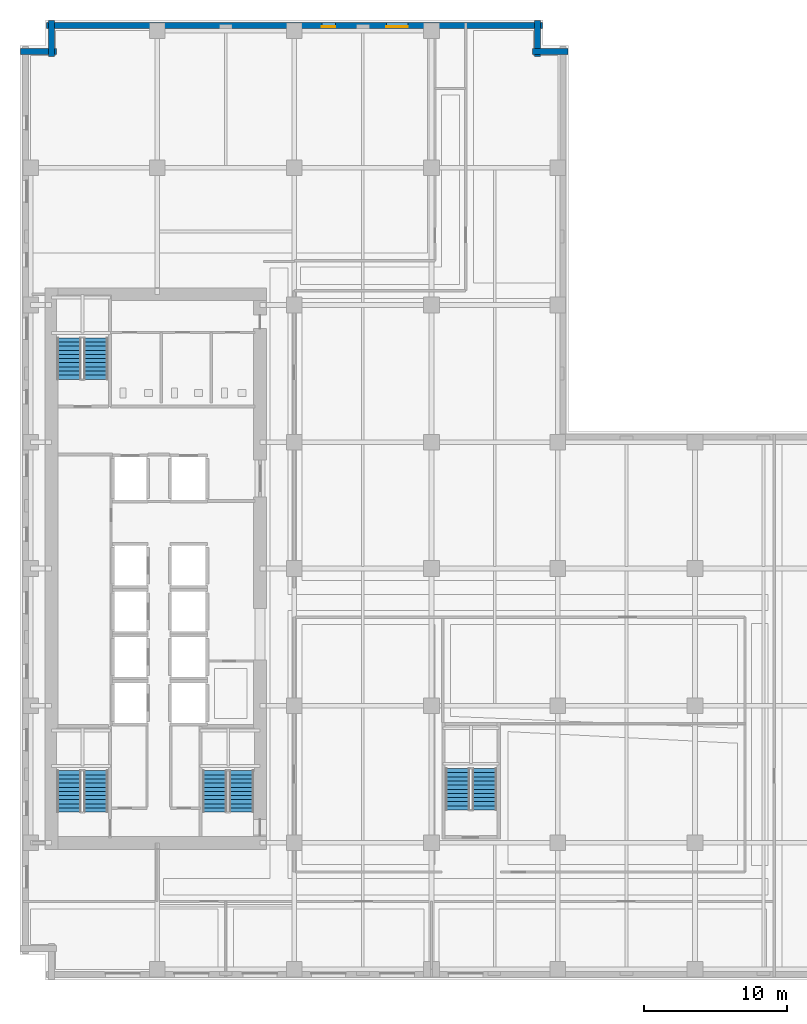
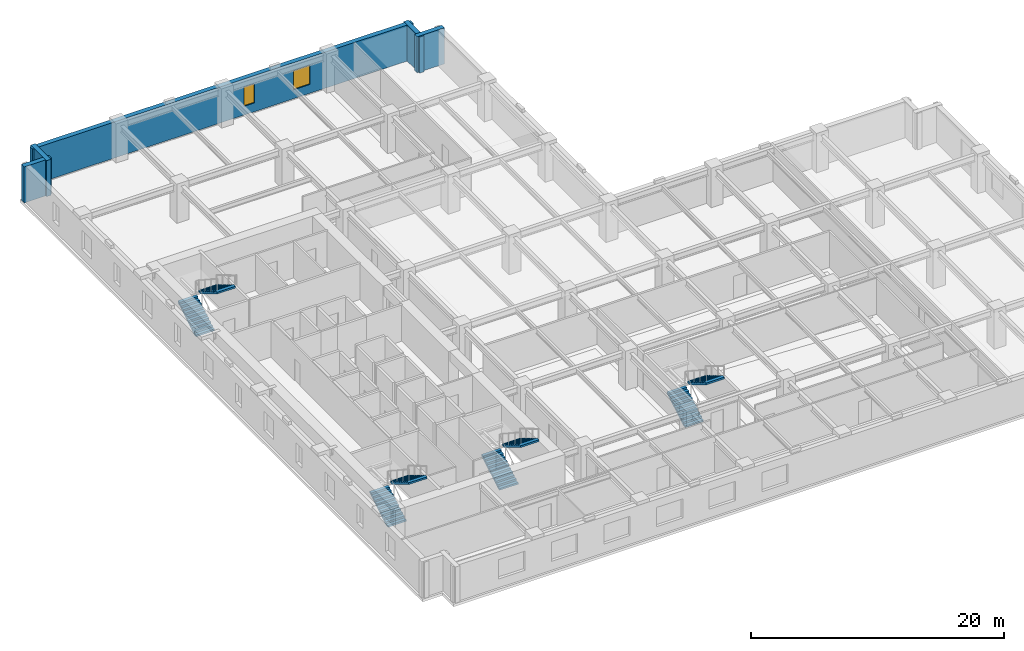
# One storey, part 8 of 15: 8 stair flights, 5 walls, 2 windows, 2 openings, 4 elements without a shape of their own.
"""IFC4 building model written with IfcOpenShell, lengths in metres."""

from ifc_helpers import new_model, si_unit, direction, frame, frame_2d, origin, place, context, subcontext, project, spatial, polyline, rectangle, outline, extrude, material, layer, layer_set, type_object, element, fill, aggregate, save


model = new_model("IFC4")

# Units and contexts
model_context = context("Model", 3, precision=1e-05, world=origin(), true_north=direction((0.0, 1.0)))
body_context = subcontext(model_context, "Body", "Model", "MODEL_VIEW")
ifc_project = project(units=[si_unit("LENGTHUNIT", "METRE"), si_unit("AREAUNIT", "SQUARE_METRE"), si_unit("VOLUMEUNIT", "CUBIC_METRE"), si_unit("PLANEANGLEUNIT", "RADIAN"), si_unit("MASSUNIT", "GRAM", prefix="KILO")], contexts=[model_context])

# Site, building, storey
site_placement = place(None, origin())
site = spatial("IfcSite", under=ifc_project, at=site_placement, CompositionType="ELEMENT")
building_placement = place(site_placement, origin())
building = spatial("IfcBuilding", under=site, at=building_placement, Name="Norrvale University Quadrangle", CompositionType="ELEMENT")
storey_placement = place(building_placement, frame((0.0, 0.0, 92.60009765625)))
storey = spatial("IfcBuildingStorey", under=building, at=storey_placement, Name="L23", CompositionType="ELEMENT", Elevation=92.60009765625)

# Walls
ifc_material_1 = material(Name="Buff Norman Clay Brick Masonry", Category="masonry")
ifc_layer = layer(ifc_material_1, 0.419921875, Name="Buff Norman Clay Brick Masonry")
ifc_layer_set = layer_set([ifc_layer], Name="Buff Norman Clay Brick Masonry")
wall_type = type_object("IfcWallType", Name="Wall Buff Brick 420", PredefinedType="SOLIDWALL", material=ifc_layer_set)
for number, where, z_axis, x_axis, name in (
    (1, (38.360107421875, 65.010009765625, 0.0), (0.0, 0.0, 1.0), (-1.0, 0.0, 0.0), "Exterior Brick Facade Wall L23-09.1"),
    (2, (36.2099609375, 64.659912109375, 0.0), (0.0, 0.0, 1.0), (0.0, 1.0, 0.0), "Exterior Brick Facade Wall L23-10.1"),
):
    element("IfcWall", number, at=place(storey_placement, frame(where, z_axis=z_axis, x_axis=x_axis)), inside=storey, type_object=wall_type, Name=name, PredefinedType="SOLIDWALL", context=body_context, shape_type="SweptSolid", body=[
        extrude(rectangle(XDim=2.5, YDim=0.419921875, at=frame_2d((1.25, 0.0))), origin(), (0.0, 0.0, 1.0), 3.47998046875),
    ])

# Wall, openings, windows
wall_placement = place(storey_placement, frame((36.56005859375, 66.81005859375, 0.0), z_axis=(0.0, 0.0, 1.0), x_axis=(-1.0, 0.0, 0.0)))
wall = element("IfcWall", 3, at=wall_placement, inside=storey, type_object=wall_type, Name="Exterior Brick Facade Wall L23-11.1", PredefinedType="SOLIDWALL", context=body_context, shape_type="SweptSolid", body=[
    extrude(rectangle(XDim=34.719970703125, YDim=0.419921875, at=frame_2d((17.35986328125, 0.0))), origin(), (0.0, 0.0, 1.0), 3.47998046875),
])
opening_1_placement = place(wall_placement, frame((9.409912109375, 0.0, 0.85009765625)))
opening_1 = element("IfcOpeningElement", 4, at=opening_1_placement, cuts=wall, Name="Opening W03", PredefinedType="OPENING", context=body_context, shape_type="SweptSolid", body=[
    extrude(rectangle(XDim=1.5, YDim=1.85009765625, at=frame_2d((0.75, 0.925048828125))), frame((0.0, 0.221923828125, 0.0), z_axis=(0.0, -1.0, 0.0), x_axis=(1.0, 0.0, 0.0)), (0.0, 0.0, 1.0), 0.44384765625),
])
opening_2_placement = place(wall_placement, frame((14.485107421875, 0.0, 0.85009765625)))
opening_2 = element("IfcOpeningElement", 5, at=opening_2_placement, cuts=wall, Name="Opening W04", PredefinedType="OPENING", context=body_context, shape_type="SweptSolid", body=[
    extrude(rectangle(XDim=0.949951171875, YDim=1.85009765625, at=frame_2d((0.47509765625, 0.925048828125))), frame((0.0, 0.221923828125, 0.0), z_axis=(0.0, -1.0, 0.0), x_axis=(1.0, 0.0, 0.0)), (0.0, 0.0, 1.0), 0.44384765625),
])
ifc_material_2 = material(Name="Triple Low-E Argon Glazing", Category="glass")
window_type_1 = type_object("IfcWindowType", Name="Window Narrow Pier 950x2300", PartitioningType="SINGLE_PANEL", PredefinedType="WINDOW", material=ifc_material_2)
window_1_placement = place(opening_2_placement, origin())
window_1 = element("IfcWindow", 6, at=window_1_placement, inside=storey, type_object=window_type_1, Name="Window Narrow Pier 950x2300 WIN-L23-E11-1-02", OverallHeight=1.85009765625, OverallWidth=0.949951171875, PartitioningType="SINGLE_PANEL", PredefinedType="WINDOW", context=body_context, shape_type="SweptSolid", body=[
    extrude(rectangle(XDim=0.949951171875, YDim=1.85009765625, at=frame_2d((0.47509765625, 0.925048828125))), frame((0.0, 0.110107421875, 0.0), z_axis=(0.0, -1.0, 0.0), x_axis=(1.0, 0.0, 0.0)), (0.0, 0.0, 1.0), 0.06005859375),
])
fill(opening_2, window_1)
window_type_2 = type_object("IfcWindowType", Name="Window Studio 1500x2300", PartitioningType="DOUBLE_PANEL_VERTICAL", PredefinedType="WINDOW", material=ifc_material_2)
window_2_placement = place(opening_1_placement, origin())
window_2 = element("IfcWindow", 7, at=window_2_placement, inside=storey, type_object=window_type_2, Name="Window Studio 1500x2300 WIN-L23-E11-1-01", OverallHeight=1.85009765625, OverallWidth=1.5, PartitioningType="DOUBLE_PANEL_VERTICAL", PredefinedType="WINDOW", context=body_context, shape_type="SweptSolid", body=[
    extrude(rectangle(XDim=1.5, YDim=1.85009765625, at=frame_2d((0.75, 0.925048828125))), frame((0.0, 0.110107421875, 0.0), z_axis=(0.0, -1.0, 0.0), x_axis=(1.0, 0.0, 0.0)), (0.0, 0.0, 1.0), 0.06005859375),
])
fill(opening_1, window_2)

# Walls
for number, where, z_axis, x_axis, name in (
    (8, (2.18994140625, 67.159912109375, 0.0), (0.0, 0.0, 1.0), (0.0, -1.0, 0.0), "Exterior Brick Facade Wall L23-12.1"),
    (9, (2.5400390625, 65.010009765625, 0.0), (0.0, 0.0, 1.0), (-1.0, 0.0, 0.0), "Exterior Brick Facade Wall L23-13.1"),
):
    element("IfcWall", number, at=place(storey_placement, frame(where, z_axis=z_axis, x_axis=x_axis)), inside=storey, type_object=wall_type, Name=name, PredefinedType="SOLIDWALL", context=body_context, shape_type="SweptSolid", body=[
        extrude(rectangle(XDim=2.5, YDim=0.419921875, at=frame_2d((1.25, 0.0))), origin(), (0.0, 0.0, 1.0), 3.47998046875),
    ])

# Stair, stair flights
ifc_material_3 = material(Name="Concrete C40/50", Category="concrete")
stair_type = type_object("IfcStairType", Name="Stair Tower Typ 3800", PredefinedType="TWO_STRAIGHT_RUN_STAIR", material=ifc_material_3)
stair_1_placement = place(storey_placement, origin())
stair_1 = element("IfcStair", 10, at=stair_1_placement, inside=storey, type_object=stair_type, Name="Exit Stair ST-01 L23", PredefinedType="TWO_STRAIGHT_RUN_STAIR")
stair_flight_type = type_object("IfcStairFlightType", Name="Flight Typ 1500", PredefinedType="STRAIGHT", material=ifc_material_3)
stair_flight_1_placement = place(storey_placement, frame((3.429931640625, 11.75, 0.0), z_axis=(0.0, 0.0, 1.0), x_axis=(0.0, 1.0, 0.0)))
stair_flight_1 = element("IfcStairFlight", 11, at=stair_flight_1_placement, type_object=stair_flight_type, Name="Exit Stair ST-01 L23 Lower Flight", NumberOfRisers=11, NumberOfTreads=10, PredefinedType="STRAIGHT", RiserHeight=0.172727, TreadLength=0.29, context=body_context, shape_type="SweptSolid", body=[
    extrude(outline(polyline([(0.0, 0.0), (0.0, 0.172607421875), (0.2900390625, 0.172607421875), (0.2900390625, 0.345458984375), (0.580078125, 0.345458984375), (0.580078125, 0.51806640625), (0.8701171875, 0.51806640625), (0.8701171875, 0.69091796875), (1.159912109375, 0.69091796875), (1.159912109375, 0.863525390625), (1.449951171875, 0.863525390625), (1.449951171875, 1.036376953125), (1.739990234375, 1.036376953125), (1.739990234375, 1.208984375), (2.030029296875, 1.208984375), (2.030029296875, 1.3818359375), (2.320068359375, 1.3818359375), (2.320068359375, 1.554443359375), (2.610107421875, 1.554443359375), (2.610107421875, 1.727294921875), (2.89990234375, 1.727294921875), (2.89990234375, 1.89990234375), (2.89990234375, 1.552734375), (0.29296875, 0.0), (0.0, 0.0)])), frame((0.0, 0.83984375, 0.0), z_axis=(0.0, -1.0, 0.0), x_axis=(1.0, 0.0, 0.0)), (0.0, 0.0, 1.0), 1.679931640625),
])
stair_flight_2_placement = place(storey_placement, frame((5.320068359375, 14.64990234375, 1.89990234375), z_axis=(0.0, 0.0, 1.0), x_axis=(0.0, -1.0, 0.0)))
stair_flight_2 = element("IfcStairFlight", 12, at=stair_flight_2_placement, type_object=stair_flight_type, Name="Exit Stair ST-01 L23 Upper Flight", NumberOfRisers=11, NumberOfTreads=10, PredefinedType="STRAIGHT", RiserHeight=0.172727, TreadLength=0.29, context=body_context, shape_type="SweptSolid", body=[
    extrude(outline(polyline([(0.0, 0.0), (0.0, 0.172607421875), (0.2900390625, 0.172607421875), (0.2900390625, 0.345458984375), (0.580078125, 0.345458984375), (0.580078125, 0.51806640625), (0.8701171875, 0.51806640625), (0.8701171875, 0.69091796875), (1.159912109375, 0.69091796875), (1.159912109375, 0.863525390625), (1.449951171875, 0.863525390625), (1.449951171875, 1.036376953125), (1.739990234375, 1.036376953125), (1.739990234375, 1.208984375), (2.030029296875, 1.208984375), (2.030029296875, 1.3818359375), (2.320068359375, 1.3818359375), (2.320068359375, 1.554443359375), (2.610107421875, 1.554443359375), (2.610107421875, 1.727294921875), (2.89990234375, 1.727294921875), (2.89990234375, 1.89990234375), (2.89990234375, 1.552734375), (0.29296875, 0.0), (0.0, 0.0)])), frame((0.0, 0.83984375, 0.0), z_axis=(0.0, -1.0, 0.0), x_axis=(1.0, 0.0, 0.0)), (0.0, 0.0, 1.0), 1.679931640625),
])
aggregate(stair_1, [stair_flight_1, stair_flight_2])

stair_2_placement = place(storey_placement, origin())
stair_2 = element("IfcStair", 13, at=stair_2_placement, inside=storey, type_object=stair_type, Name="Exit Stair ST-02 L23", PredefinedType="TWO_STRAIGHT_RUN_STAIR")
stair_flight_3_placement = place(storey_placement, frame((3.429931640625, 42.050048828125, 0.0), z_axis=(0.0, 0.0, 1.0), x_axis=(0.0, 1.0, 0.0)))
stair_flight_3 = element("IfcStairFlight", 14, at=stair_flight_3_placement, type_object=stair_flight_type, Name="Exit Stair ST-02 L23 Lower Flight", NumberOfRisers=11, NumberOfTreads=10, PredefinedType="STRAIGHT", RiserHeight=0.172727, TreadLength=0.29, context=body_context, shape_type="SweptSolid", body=[
    extrude(outline(polyline([(0.0, 0.0), (0.0, 0.172607421875), (0.2900390625, 0.172607421875), (0.2900390625, 0.345458984375), (0.580078125, 0.345458984375), (0.580078125, 0.51806640625), (0.8701171875, 0.51806640625), (0.8701171875, 0.69091796875), (1.159912109375, 0.69091796875), (1.159912109375, 0.863525390625), (1.449951171875, 0.863525390625), (1.449951171875, 1.036376953125), (1.739990234375, 1.036376953125), (1.739990234375, 1.208984375), (2.030029296875, 1.208984375), (2.030029296875, 1.3818359375), (2.320068359375, 1.3818359375), (2.320068359375, 1.554443359375), (2.610107421875, 1.554443359375), (2.610107421875, 1.727294921875), (2.89990234375, 1.727294921875), (2.89990234375, 1.89990234375), (2.89990234375, 1.552734375), (0.29296875, 0.0), (0.0, 0.0)])), frame((0.0, 0.83984375, 0.0), z_axis=(0.0, -1.0, 0.0), x_axis=(1.0, 0.0, 0.0)), (0.0, 0.0, 1.0), 1.679931640625),
])
stair_flight_4_placement = place(storey_placement, frame((5.320068359375, 44.949951171875, 1.89990234375), z_axis=(0.0, 0.0, 1.0), x_axis=(0.0, -1.0, 0.0)))
stair_flight_4 = element("IfcStairFlight", 15, at=stair_flight_4_placement, type_object=stair_flight_type, Name="Exit Stair ST-02 L23 Upper Flight", NumberOfRisers=11, NumberOfTreads=10, PredefinedType="STRAIGHT", RiserHeight=0.172727, TreadLength=0.29, context=body_context, shape_type="SweptSolid", body=[
    extrude(outline(polyline([(0.0, 0.0), (0.0, 0.172607421875), (0.2900390625, 0.172607421875), (0.2900390625, 0.345458984375), (0.580078125, 0.345458984375), (0.580078125, 0.51806640625), (0.8701171875, 0.51806640625), (0.8701171875, 0.69091796875), (1.159912109375, 0.69091796875), (1.159912109375, 0.863525390625), (1.449951171875, 0.863525390625), (1.449951171875, 1.036376953125), (1.739990234375, 1.036376953125), (1.739990234375, 1.208984375), (2.030029296875, 1.208984375), (2.030029296875, 1.3818359375), (2.320068359375, 1.3818359375), (2.320068359375, 1.554443359375), (2.610107421875, 1.554443359375), (2.610107421875, 1.727294921875), (2.89990234375, 1.727294921875), (2.89990234375, 1.89990234375), (2.89990234375, 1.552734375), (0.29296875, 0.0), (0.0, 0.0)])), frame((0.0, 0.83984375, 0.0), z_axis=(0.0, -1.0, 0.0), x_axis=(1.0, 0.0, 0.0)), (0.0, 0.0, 1.0), 1.679931640625),
])
aggregate(stair_2, [stair_flight_3, stair_flight_4])

stair_3_placement = place(storey_placement, origin())
stair_3 = element("IfcStair", 16, at=stair_3_placement, inside=storey, type_object=stair_type, Name="Exit Stair ST-03 L23", PredefinedType="TWO_STRAIGHT_RUN_STAIR")
stair_flight_5_placement = place(storey_placement, frame((13.6298828125, 11.75, 0.0), z_axis=(0.0, 0.0, 1.0), x_axis=(0.0, 1.0, 0.0)))
stair_flight_5 = element("IfcStairFlight", 17, at=stair_flight_5_placement, type_object=stair_flight_type, Name="Exit Stair ST-03 L23 Lower Flight", NumberOfRisers=11, NumberOfTreads=10, PredefinedType="STRAIGHT", RiserHeight=0.172727, TreadLength=0.29, context=body_context, shape_type="SweptSolid", body=[
    extrude(outline(polyline([(0.0, 0.0), (0.0, 0.172607421875), (0.2900390625, 0.172607421875), (0.2900390625, 0.345458984375), (0.580078125, 0.345458984375), (0.580078125, 0.51806640625), (0.8701171875, 0.51806640625), (0.8701171875, 0.69091796875), (1.159912109375, 0.69091796875), (1.159912109375, 0.863525390625), (1.449951171875, 0.863525390625), (1.449951171875, 1.036376953125), (1.739990234375, 1.036376953125), (1.739990234375, 1.208984375), (2.030029296875, 1.208984375), (2.030029296875, 1.3818359375), (2.320068359375, 1.3818359375), (2.320068359375, 1.554443359375), (2.610107421875, 1.554443359375), (2.610107421875, 1.727294921875), (2.89990234375, 1.727294921875), (2.89990234375, 1.89990234375), (2.89990234375, 1.552734375), (0.29296875, 0.0), (0.0, 0.0)])), frame((0.0, 0.83984375, 0.0), z_axis=(0.0, -1.0, 0.0), x_axis=(1.0, 0.0, 0.0)), (0.0, 0.0, 1.0), 1.679931640625),
])
stair_flight_6_placement = place(storey_placement, frame((15.52001953125, 14.64990234375, 1.89990234375), z_axis=(0.0, 0.0, 1.0), x_axis=(0.0, -1.0, 0.0)))
stair_flight_6 = element("IfcStairFlight", 18, at=stair_flight_6_placement, type_object=stair_flight_type, Name="Exit Stair ST-03 L23 Upper Flight", NumberOfRisers=11, NumberOfTreads=10, PredefinedType="STRAIGHT", RiserHeight=0.172727, TreadLength=0.29, context=body_context, shape_type="SweptSolid", body=[
    extrude(outline(polyline([(0.0, 0.0), (0.0, 0.172607421875), (0.2900390625, 0.172607421875), (0.2900390625, 0.345458984375), (0.580078125, 0.345458984375), (0.580078125, 0.51806640625), (0.8701171875, 0.51806640625), (0.8701171875, 0.69091796875), (1.159912109375, 0.69091796875), (1.159912109375, 0.863525390625), (1.449951171875, 0.863525390625), (1.449951171875, 1.036376953125), (1.739990234375, 1.036376953125), (1.739990234375, 1.208984375), (2.030029296875, 1.208984375), (2.030029296875, 1.3818359375), (2.320068359375, 1.3818359375), (2.320068359375, 1.554443359375), (2.610107421875, 1.554443359375), (2.610107421875, 1.727294921875), (2.89990234375, 1.727294921875), (2.89990234375, 1.89990234375), (2.89990234375, 1.552734375), (0.29296875, 0.0), (0.0, 0.0)])), frame((0.0, 0.83984375, 0.0), z_axis=(0.0, -1.0, 0.0), x_axis=(1.0, 0.0, 0.0)), (0.0, 0.0, 1.0), 1.679931640625),
])
aggregate(stair_3, [stair_flight_5, stair_flight_6])

stair_4_placement = place(storey_placement, origin())
stair_4 = element("IfcStair", 19, at=stair_4_placement, inside=storey, type_object=stair_type, Name="Exit Stair ST-04 L23", PredefinedType="TWO_STRAIGHT_RUN_STAIR")
stair_flight_7_placement = place(storey_placement, frame((30.6298828125, 11.89990234375, 0.0), z_axis=(0.0, 0.0, 1.0), x_axis=(0.0, 1.0, 0.0)))
stair_flight_7 = element("IfcStairFlight", 20, at=stair_flight_7_placement, type_object=stair_flight_type, Name="Exit Stair ST-04 L23 Lower Flight", NumberOfRisers=11, NumberOfTreads=10, PredefinedType="STRAIGHT", RiserHeight=0.172727, TreadLength=0.29, context=body_context, shape_type="SweptSolid", body=[
    extrude(outline(polyline([(0.0, 0.0), (0.0, 0.172607421875), (0.2900390625, 0.172607421875), (0.2900390625, 0.345458984375), (0.580078125, 0.345458984375), (0.580078125, 0.51806640625), (0.8701171875, 0.51806640625), (0.8701171875, 0.69091796875), (1.159912109375, 0.69091796875), (1.159912109375, 0.863525390625), (1.449951171875, 0.863525390625), (1.449951171875, 1.036376953125), (1.739990234375, 1.036376953125), (1.739990234375, 1.208984375), (2.030029296875, 1.208984375), (2.030029296875, 1.3818359375), (2.320068359375, 1.3818359375), (2.320068359375, 1.554443359375), (2.610107421875, 1.554443359375), (2.610107421875, 1.727294921875), (2.89990234375, 1.727294921875), (2.89990234375, 1.89990234375), (2.89990234375, 1.552734375), (0.29296875, 0.0), (0.0, 0.0)])), frame((0.0, 0.83984375, 0.0), z_axis=(0.0, -1.0, 0.0), x_axis=(1.0, 0.0, 0.0)), (0.0, 0.0, 1.0), 1.679931640625),
])
stair_flight_8_placement = place(storey_placement, frame((32.52001953125, 14.800048828125, 1.89990234375), z_axis=(0.0, 0.0, 1.0), x_axis=(0.0, -1.0, 0.0)))
stair_flight_8 = element("IfcStairFlight", 21, at=stair_flight_8_placement, type_object=stair_flight_type, Name="Exit Stair ST-04 L23 Upper Flight", NumberOfRisers=11, NumberOfTreads=10, PredefinedType="STRAIGHT", RiserHeight=0.172727, TreadLength=0.29, context=body_context, shape_type="SweptSolid", body=[
    extrude(outline(polyline([(0.0, 0.0), (0.0, 0.172607421875), (0.2900390625, 0.172607421875), (0.2900390625, 0.345458984375), (0.580078125, 0.345458984375), (0.580078125, 0.51806640625), (0.8701171875, 0.51806640625), (0.8701171875, 0.69091796875), (1.159912109375, 0.69091796875), (1.159912109375, 0.863525390625), (1.449951171875, 0.863525390625), (1.449951171875, 1.036376953125), (1.739990234375, 1.036376953125), (1.739990234375, 1.208984375), (2.030029296875, 1.208984375), (2.030029296875, 1.3818359375), (2.320068359375, 1.3818359375), (2.320068359375, 1.554443359375), (2.610107421875, 1.554443359375), (2.610107421875, 1.727294921875), (2.89990234375, 1.727294921875), (2.89990234375, 1.89990234375), (2.89990234375, 1.552734375), (0.29296875, 0.0), (0.0, 0.0)])), frame((0.0, 0.83984375, 0.0), z_axis=(0.0, -1.0, 0.0), x_axis=(1.0, 0.0, 0.0)), (0.0, 0.0, 1.0), 1.679931640625),
])
aggregate(stair_4, [stair_flight_7, stair_flight_8])

save(model, "model.ifc")
